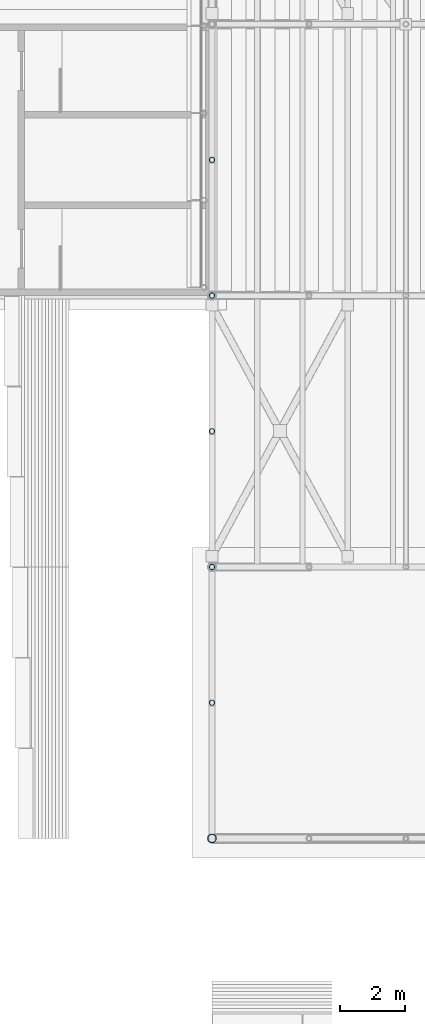
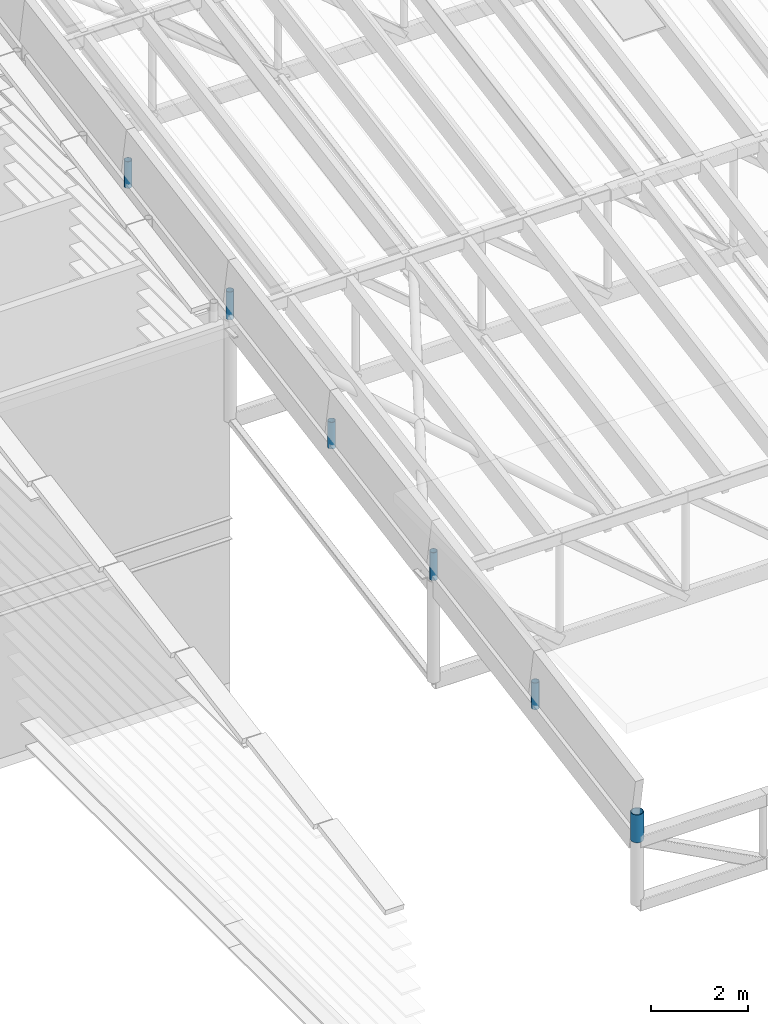
# One storey, part 52 of 91: 6 members.
"""IFC4 building model written with IfcOpenShell, lengths in metres."""

from ifc_helpers import new_model, si_unit, direction, frame, origin, origin_2d, place, context, subcontext, project, spatial, hollow_circle, extrude, material, material_profile, profile_set, type_object, element, save


model = new_model("IFC4")

# Units and contexts
model_context = context("Model", 3, precision=1e-05, world=origin(), true_north=direction((0.0, 1.0)))
body_context = subcontext(model_context, "Body", "Model", "MODEL_VIEW")
ifc_project = project(units=[si_unit("LENGTHUNIT", "METRE"), si_unit("AREAUNIT", "SQUARE_METRE"), si_unit("VOLUMEUNIT", "CUBIC_METRE"), si_unit("PLANEANGLEUNIT", "RADIAN"), si_unit("MASSUNIT", "GRAM", prefix="KILO")], contexts=[model_context])

# Site, building, storey
site_placement = place(None, origin())
site = spatial("IfcSite", under=ifc_project, at=site_placement, CompositionType="ELEMENT")
building_placement = place(site_placement, origin())
building = spatial("IfcBuilding", under=site, at=building_placement, Name="Almond Square Museum", CompositionType="ELEMENT")
storey_placement = place(building_placement, frame((0.0, 0.0, 30.0)))
storey = spatial("IfcBuildingStorey", under=building, at=storey_placement, Name="L05", CompositionType="ELEMENT", Elevation=30.0)

# Members
ifc_material_1 = material(Name="Structural steel S355", Category="steel")
ifc_material_profile_1 = material_profile(ifc_material_1, hollow_circle(Radius=0.084228515625, WallThickness=0.008056640625, at=origin_2d()))
ifc_profile_set_1 = profile_set([ifc_material_profile_1], Name="Structural steel S355")
member_type_1 = type_object("IfcMemberType", Name="Fascia post CHS 168.3x8", PredefinedType="POST", material=ifc_profile_set_1)
for number, where, z_axis, x_axis, name in (
    (1, (106.800048828125, 58.800048828125, 7.718505859375), (0.0, 0.0, 1.0), (1.0, 0.0, 0.0), "Rake fascia post W 2"),
    (2, (106.800048828125, 67.199951171875, 9.1884765625), (0.0, 0.0, 1.0), (1.0, 0.0, 0.0), "Rake fascia post W 3"),
):
    element("IfcMember", number, at=place(storey_placement, frame(where, z_axis=z_axis, x_axis=x_axis)), inside=storey, type_object=member_type_1, Name=name, PredefinedType="POST", context=body_context, shape_type="SweptSolid", body=[
        extrude(hollow_circle(Radius=0.084228515625, WallThickness=0.008056640625, at=origin_2d()), origin(), (0.0, 0.0, 1.0), 0.701416015625),
    ])
for number, where, z_axis, x_axis, name in (
    (3, (106.800048828125, 54.60009765625, 7.013427734375), (0.0, 0.0, 1.0), (1.0, 0.0, 0.0), "Rake fascia post W bay 1"),
    (4, (106.800048828125, 63.0, 8.4833984375), (0.0, 0.0, 1.0), (1.0, 0.0, 0.0), "Rake fascia post W bay 2"),
):
    element("IfcMember", number, at=place(storey_placement, frame(where, z_axis=z_axis, x_axis=x_axis)), inside=storey, type_object=member_type_1, Name=name, PredefinedType="POST", context=body_context, shape_type="SweptSolid", body=[
        extrude(hollow_circle(Radius=0.084228515625, WallThickness=0.008056640625, at=origin_2d()), origin(), (0.0, 0.0, 1.0), 0.671630859375),
    ])
member_1_placement = place(storey_placement, frame((106.800048828125, 71.39990234375, 9.95361328125), z_axis=(0.0, 0.0, 1.0), x_axis=(1.0, 0.0, 0.0)))
element("IfcMember", 5, at=member_1_placement, inside=storey, type_object=member_type_1, Name="Rake fascia post W bay 3", PredefinedType="POST", context=body_context, shape_type="SweptSolid", body=[
    extrude(hollow_circle(Radius=0.084228515625, WallThickness=0.008056640625, at=origin_2d()), origin(), (0.0, 0.0, 1.0), 0.67138671875),
])
ifc_material_2 = material(Name="Structural steel S355", Category="steel")
ifc_material_profile_2 = material_profile(ifc_material_2, hollow_circle(Radius=0.136474609375, WallThickness=0.012451171875, at=origin_2d()))
ifc_profile_set_2 = profile_set([ifc_material_profile_2], Name="Structural steel S355")
member_type_2 = type_object("IfcMemberType", Name="Fascia post CHS 273x12.5", PredefinedType="POST", material=ifc_profile_set_2)
member_2_placement = place(storey_placement, frame((106.800048828125, 50.39990234375, 6.24853515625), z_axis=(0.0, 0.0, 1.0), x_axis=(1.0, 0.0, 0.0)))
element("IfcMember", 6, at=member_2_placement, inside=storey, type_object=member_type_2, Name="Rake fascia post W 1", PredefinedType="POST", context=body_context, shape_type="SweptSolid", body=[
    extrude(hollow_circle(Radius=0.136474609375, WallThickness=0.012451171875, at=origin_2d()), origin(), (0.0, 0.0, 1.0), 0.701416015625),
])

save(model, "model.ifc")
